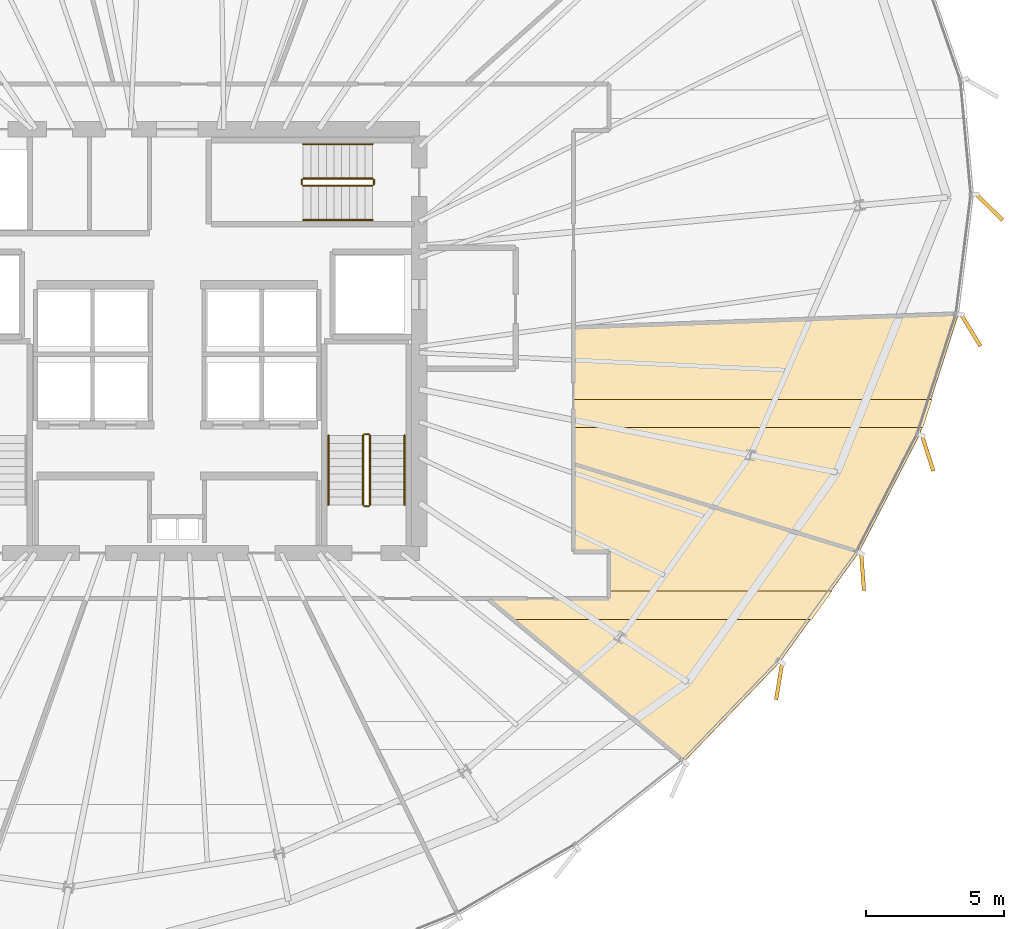
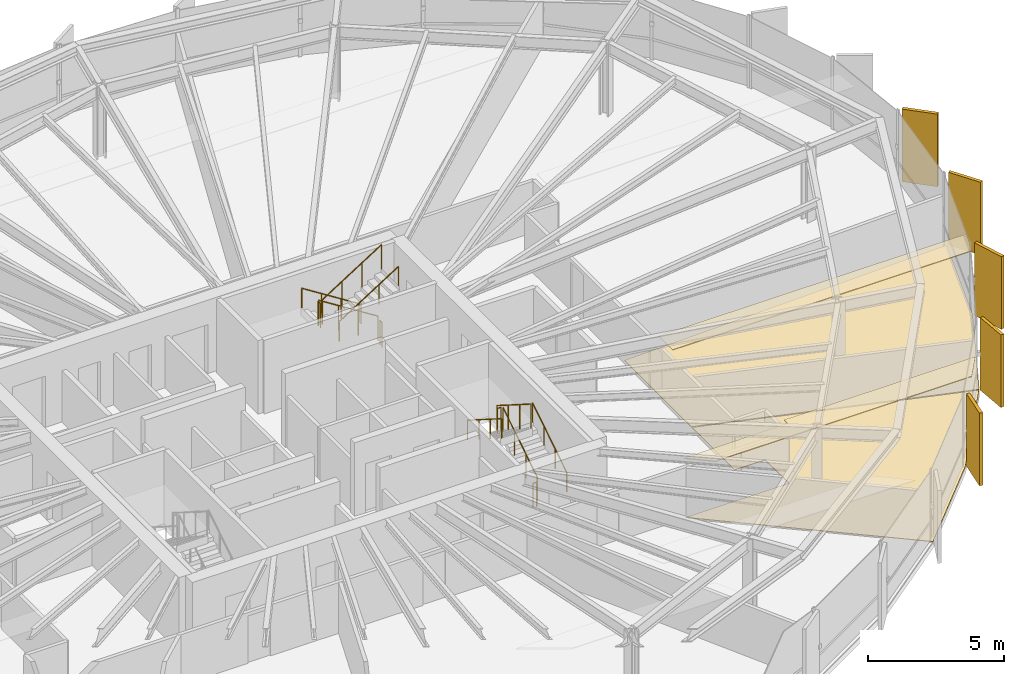
# One storey, part 34 of 35: 12 railings, 9 coverings.
"""IFC4 building model written with IfcOpenShell, lengths in metres."""

from ifc_helpers import new_model, si_unit, direction, frame, origin, origin_2d, place, context, subcontext, project, spatial, polyline, rectangle, circle, outline, extrude, source, transform, mapped, material, layer, layer_set, type_object, element, save


model = new_model("IFC4")

# Units and contexts
model_context = context("Model", 3, precision=1e-05, world=origin(), true_north=direction((0.0, 1.0)))
body_context = subcontext(model_context, "Body", "Model", "MODEL_VIEW")
ifc_project = project(units=[si_unit("LENGTHUNIT", "METRE"), si_unit("AREAUNIT", "SQUARE_METRE"), si_unit("VOLUMEUNIT", "CUBIC_METRE"), si_unit("PLANEANGLEUNIT", "RADIAN"), si_unit("MASSUNIT", "GRAM", prefix="KILO"), si_unit("THERMODYNAMICTEMPERATUREUNIT", "KELVIN")], contexts=[model_context])

# Site, building, storey
site_placement = place(None, origin())
site = spatial("IfcSite", under=ifc_project, at=site_placement, CompositionType="ELEMENT")
building_placement = place(site_placement, origin())
building = spatial("IfcBuilding", under=site, at=building_placement, Name="Kethvar Cultural Tower", CompositionType="ELEMENT")
storey_placement = place(building_placement, frame((0.0, 0.0, 139.449951171875)))
storey = spatial("IfcBuildingStorey", under=building, at=storey_placement, Name="L35", CompositionType="ELEMENT", Elevation=139.449951171875)

# Coverings
ifc_material_1 = material(Name="Acoustic Mineral Fibre Ceiling")
ifc_layer_1 = layer(ifc_material_1, 0.0400390625, Name="Acoustic Mineral Fibre Ceiling")
ifc_layer_set_1 = layer_set([ifc_layer_1], Name="Acoustic Mineral Fibre Ceiling (40 mm)")
covering_type_1 = type_object("IfcCoveringType", Name="CV-ACOUSTIC-CEIL", PredefinedType="CEILING", material=ifc_layer_set_1)
covering_1_placement = place(storey_placement, frame((0.0, 0.0, 2.670166015625)))
element("IfcCovering", 1, at=covering_1_placement, inside=storey, type_object=covering_type_1, Name="L35 Room 04 Acoustic Ceiling Panel", PredefinedType="CEILING", context=body_context, shape_type="SweptSolid", body=[
    extrude(outline(polyline([(58.065185546875, 18.4345703125), (62.47998046875, 18.469970703125), (62.47998046875, 18.71875), (70.601318359375, 18.71875), (69.857666015625, 17.688720703125), (58.965087890625, 17.688720703125), (58.065185546875, 18.4345703125)])), origin(), (0.0, 0.0, 1.0), 0.039794921875),
])
covering_2_placement = place(storey_placement, frame((0.0, 0.0, 2.670166015625)))
element("IfcCovering", 2, at=covering_2_placement, inside=storey, type_object=covering_type_1, Name="L35 Room 05 Acoustic Ceiling Panel", PredefinedType="CEILING", context=body_context, shape_type="SweptSolid", body=[
    extrude(outline(polyline([(61.179931640625, 25.687255859375), (74.23388671875, 25.687255859375), (73.9013671875, 24.6572265625), (61.179931640625, 24.6572265625), (61.179931640625, 25.687255859375)])), origin(), (0.0, 0.0, 1.0), 0.039794921875),
])
ifc_material_2 = material(Name="Architectural Oak Timber", Category="wood")
ifc_layer_2 = layer(ifc_material_2, 0.02490234375, Name="Architectural Oak Timber", Category="wood")
ifc_layer_set_2 = layer_set([ifc_layer_2], Name="Architectural Oak Timber (25 mm)")
covering_type_2 = type_object("IfcCoveringType", Name="CV-OAK-FLOOR", PredefinedType="FLOORING", material=ifc_layer_set_2)
covering_3_placement = place(storey_placement, origin())
element("IfcCovering", 3, at=covering_3_placement, inside=storey, type_object=covering_type_2, Name="L35 Room 04 Floor Finish", PredefinedType="FLOORING", context=body_context, shape_type="SweptSolid", body=[
    extrude(outline(polyline([(68.683837890625, 16.13134765625), (65.234619140625, 12.54296875), (58.133544921875, 18.429931640625), (62.5166015625, 18.43896484375), (62.515380859375, 20.16259765625), (61.219970703125, 20.169921875), (61.219970703125, 23.3125), (71.556884765625, 20.110595703125), (68.683837890625, 16.13134765625)])), origin(), (0.0, 0.0, 1.0), 0.025146484375),
])
covering_4_placement = place(storey_placement, origin())
element("IfcCovering", 4, at=covering_4_placement, inside=storey, type_object=covering_type_2, Name="L35 Room 05 Floor Finish", PredefinedType="FLOORING", context=body_context, shape_type="SweptSolid", body=[
    extrude(outline(polyline([(73.77587890625, 24.39892578125), (71.579345703125, 20.1455078125), (61.219970703125, 23.354248046875), (61.219970703125, 28.27734375), (75.18310546875, 28.759033203125), (73.77587890625, 24.39892578125)])), origin(), (0.0, 0.0, 1.0), 0.025146484375),
])

# Railings
ifc_material_3 = material(Name="Steel S355J2", Category="steel")
railing_type_1 = type_object("IfcRailingType", Name="RL-STAIR-GUARD", PredefinedType="BALUSTRADE", material=ifc_material_3)
railing_1_placement = place(storey_placement, frame((53.81005859375, 21.85009765625, 0.177490234375)))
element("IfcRailing", 5, at=railing_1_placement, inside=storey, type_object=railing_type_1, Name="L35 ST-02 stair guard 1", PredefinedType="BALUSTRADE", context=body_context, shape_type="SweptSolid", body=[
    extrude(circle(Radius=0.02392578125, at=origin_2d()), frame((0.0, 0.0, 1.09619140625), z_axis=(0.0, 0.84456994832, 0.535445237532), x_axis=(-1.0, 0.0, 0.0)), (0.0, 0.0, 1.0), 2.98388671875),
    extrude(circle(Radius=0.02099609375, at=origin_2d()), origin(), (0.0, 0.0, 1.0), 1.072021484375),
    extrude(circle(Radius=0.02099609375, at=origin_2d()), frame((0.0, 0.840087890625, 0.532470703125)), (0.0, 0.0, 1.0), 1.072021484375),
    extrude(circle(Radius=0.02099609375, at=origin_2d()), frame((0.0, 1.679931640625, 1.065185546875)), (0.0, 0.0, 1.0), 1.072021484375),
    extrude(circle(Radius=0.02099609375, at=origin_2d()), frame((0.0, 2.52001953125, 1.59765625)), (0.0, 0.0, 1.0), 1.072021484375),
])
railing_2_placement = place(storey_placement, frame((53.760009765625, 24.419921875, 1.775146484375)))
element("IfcRailing", 6, at=railing_2_placement, inside=storey, type_object=railing_type_1, Name="L35 ST-02 stair guard 2", PredefinedType="BALUSTRADE", context=body_context, shape_type="SweptSolid", body=[
    extrude(circle(Radius=0.02392578125, at=origin_2d()), frame((0.0, 0.0, 1.09619140625), z_axis=(-1.0, 0.0, 0.0), x_axis=(0.0, -1.0, 0.0)), (0.0, 0.0, 1.0), 0.159912109375),
    extrude(circle(Radius=0.02099609375, at=origin_2d()), origin(), (0.0, 0.0, 1.0), 1.072021484375),
    extrude(circle(Radius=0.02099609375, at=origin_2d()), frame((-0.159912109375, 0.0, 0.0)), (0.0, 0.0, 1.0), 1.072021484375),
])
railing_3_placement = place(storey_placement, frame((53.550048828125, 24.3701171875, 1.95263671875)))
element("IfcRailing", 7, at=railing_3_placement, inside=storey, type_object=railing_type_1, Name="L35 ST-02 stair guard 3", PredefinedType="BALUSTRADE", context=body_context, shape_type="SweptSolid", body=[
    extrude(circle(Radius=0.02392578125, at=origin_2d()), frame((0.0, 0.0, 1.09619140625), z_axis=(0.0, -0.84460694969, 0.535386869969), x_axis=(1.0, 0.0, 0.0)), (0.0, 0.0, 1.0), 2.983642578125),
    extrude(circle(Radius=0.02099609375, at=origin_2d()), origin(), (0.0, 0.0, 1.0), 1.072021484375),
    extrude(circle(Radius=0.02099609375, at=origin_2d()), frame((0.0, -0.840087890625, 0.532470703125)), (0.0, 0.0, 1.0), 1.072021484375),
    extrude(circle(Radius=0.02099609375, at=origin_2d()), frame((0.0, -1.679931640625, 1.06494140625)), (0.0, 0.0, 1.0), 1.072021484375),
    extrude(circle(Radius=0.02099609375, at=origin_2d()), frame((0.0, -2.52001953125, 1.597412109375)), (0.0, 0.0, 1.0), 1.072021484375),
])
railing_4_placement = place(storey_placement, frame((53.760009765625, 21.800048828125, 0.0)))
element("IfcRailing", 8, at=railing_4_placement, inside=storey, type_object=railing_type_1, Name="L35 ST-02 stair guard 4", PredefinedType="BALUSTRADE", context=body_context, shape_type="SweptSolid", body=[
    extrude(circle(Radius=0.02392578125, at=origin_2d()), frame((0.0, 0.0, 1.09619140625), z_axis=(-1.0, 0.0, 0.0), x_axis=(0.0, -1.0, 0.0)), (0.0, 0.0, 1.0), 0.159912109375),
    extrude(circle(Radius=0.02099609375, at=origin_2d()), origin(), (0.0, 0.0, 1.0), 1.072021484375),
    extrude(circle(Radius=0.02099609375, at=origin_2d()), frame((-0.159912109375, 0.0, 0.0)), (0.0, 0.0, 1.0), 1.072021484375),
])
railing_5_placement = place(storey_placement, frame((53.89990234375, 33.7099609375, 0.177490234375)))
element("IfcRailing", 9, at=railing_5_placement, inside=storey, type_object=railing_type_1, Name="L35 ST-03 stair guard 1", PredefinedType="BALUSTRADE", context=body_context, shape_type="SweptSolid", body=[
    extrude(circle(Radius=0.02392578125, at=origin_2d()), frame((0.0, 0.0, 1.09619140625), z_axis=(-0.84456994832, 0.0, 0.535445237532), x_axis=(0.0, -1.0, 0.0)), (0.0, 0.0, 1.0), 2.98388671875),
    extrude(circle(Radius=0.02099609375, at=origin_2d()), origin(), (0.0, 0.0, 1.0), 1.072021484375),
    extrude(circle(Radius=0.02099609375, at=origin_2d()), frame((-0.840087890625, 0.0, 0.532470703125)), (0.0, 0.0, 1.0), 1.072021484375),
    extrude(circle(Radius=0.02099609375, at=origin_2d()), frame((-1.679931640625, 0.0, 1.065185546875)), (0.0, 0.0, 1.0), 1.072021484375),
    extrude(circle(Radius=0.02099609375, at=origin_2d()), frame((-2.52001953125, 0.0, 1.59765625)), (0.0, 0.0, 1.0), 1.072021484375),
])
railing_6_placement = place(storey_placement, frame((51.330078125, 33.659912109375, 1.775146484375)))
element("IfcRailing", 10, at=railing_6_placement, inside=storey, type_object=railing_type_1, Name="L35 ST-03 stair guard 2", PredefinedType="BALUSTRADE", context=body_context, shape_type="SweptSolid", body=[
    extrude(circle(Radius=0.02392578125, at=origin_2d()), frame((0.0, 0.0, 1.09619140625), z_axis=(0.0, -1.0, 0.0), x_axis=(1.0, 0.0, 0.0)), (0.0, 0.0, 1.0), 0.159912109375),
    extrude(circle(Radius=0.02099609375, at=origin_2d()), origin(), (0.0, 0.0, 1.0), 1.072021484375),
    extrude(circle(Radius=0.02099609375, at=origin_2d()), frame((0.0, -0.159912109375, 0.0)), (0.0, 0.0, 1.0), 1.072021484375),
])
railing_7_placement = place(storey_placement, frame((51.3798828125, 33.449951171875, 1.95263671875)))
element("IfcRailing", 11, at=railing_7_placement, inside=storey, type_object=railing_type_1, Name="L35 ST-03 stair guard 3", PredefinedType="BALUSTRADE", context=body_context, shape_type="SweptSolid", body=[
    extrude(circle(Radius=0.02392578125, at=origin_2d()), frame((0.0, 0.0, 1.09619140625), z_axis=(0.84460694969, 0.0, 0.535386869969), x_axis=(0.0, 1.0, 0.0)), (0.0, 0.0, 1.0), 2.983642578125),
    extrude(circle(Radius=0.02099609375, at=origin_2d()), origin(), (0.0, 0.0, 1.0), 1.072021484375),
    extrude(circle(Radius=0.02099609375, at=origin_2d()), frame((0.840087890625, 0.0, 0.532470703125)), (0.0, 0.0, 1.0), 1.072021484375),
    extrude(circle(Radius=0.02099609375, at=origin_2d()), frame((1.679931640625, 0.0, 1.06494140625)), (0.0, 0.0, 1.0), 1.072021484375),
    extrude(circle(Radius=0.02099609375, at=origin_2d()), frame((2.52001953125, 0.0, 1.597412109375)), (0.0, 0.0, 1.0), 1.072021484375),
])
railing_8_placement = place(storey_placement, frame((53.949951171875, 33.659912109375, 0.0)))
element("IfcRailing", 12, at=railing_8_placement, inside=storey, type_object=railing_type_1, Name="L35 ST-03 stair guard 4", PredefinedType="BALUSTRADE", context=body_context, shape_type="SweptSolid", body=[
    extrude(circle(Radius=0.02392578125, at=origin_2d()), frame((0.0, 0.0, 1.09619140625), z_axis=(0.0, -1.0, 0.0), x_axis=(1.0, 0.0, 0.0)), (0.0, 0.0, 1.0), 0.159912109375),
    extrude(circle(Radius=0.02099609375, at=origin_2d()), origin(), (0.0, 0.0, 1.0), 1.072021484375),
    extrude(circle(Radius=0.02099609375, at=origin_2d()), frame((0.0, -0.159912109375, 0.0)), (0.0, 0.0, 1.0), 1.072021484375),
])
railing_type_2 = type_object("IfcRailingType", Name="RL-STAIR-HANDRAIL", PredefinedType="HANDRAIL", material=ifc_material_3)
railing_9_placement = place(storey_placement, frame((55.06005859375, 21.85009765625, 0.177490234375)))
element("IfcRailing", 13, at=railing_9_placement, inside=storey, type_object=railing_type_2, Name="L35 ST-02 stair handrail 1", PredefinedType="HANDRAIL", context=body_context, shape_type="SweptSolid", body=[
    extrude(circle(Radius=0.02392578125, at=origin_2d()), frame((0.0, 0.0, 0.8759765625), z_axis=(0.0, 0.84456994832, 0.535445237532), x_axis=(-1.0, 0.0, 0.0)), (0.0, 0.0, 1.0), 2.98388671875),
    extrude(circle(Radius=0.02099609375, at=origin_2d()), origin(), (0.0, 0.0, 1.0), 0.851806640625),
    extrude(circle(Radius=0.02099609375, at=origin_2d()), frame((0.0, 0.840087890625, 0.532470703125)), (0.0, 0.0, 1.0), 0.851806640625),
    extrude(circle(Radius=0.02099609375, at=origin_2d()), frame((0.0, 1.679931640625, 1.065185546875)), (0.0, 0.0, 1.0), 0.851806640625),
    extrude(circle(Radius=0.02099609375, at=origin_2d()), frame((0.0, 2.52001953125, 1.59765625)), (0.0, 0.0, 1.0), 0.851806640625),
])
railing_10_placement = place(storey_placement, frame((52.300048828125, 24.3701171875, 1.95263671875)))
element("IfcRailing", 14, at=railing_10_placement, inside=storey, type_object=railing_type_2, Name="L35 ST-02 stair handrail 2", PredefinedType="HANDRAIL", context=body_context, shape_type="SweptSolid", body=[
    extrude(circle(Radius=0.02392578125, at=origin_2d()), frame((0.0, 0.0, 0.8759765625), z_axis=(0.0, -0.84460694969, 0.535386869969), x_axis=(1.0, 0.0, 0.0)), (0.0, 0.0, 1.0), 2.983642578125),
    extrude(circle(Radius=0.02099609375, at=origin_2d()), origin(), (0.0, 0.0, 1.0), 0.851806640625),
    extrude(circle(Radius=0.02099609375, at=origin_2d()), frame((0.0, -0.840087890625, 0.532470703125)), (0.0, 0.0, 1.0), 0.851806640625),
    extrude(circle(Radius=0.02099609375, at=origin_2d()), frame((0.0, -1.679931640625, 1.06494140625)), (0.0, 0.0, 1.0), 0.851806640625),
    extrude(circle(Radius=0.02099609375, at=origin_2d()), frame((0.0, -2.52001953125, 1.597412109375)), (0.0, 0.0, 1.0), 0.851806640625),
])
railing_11_placement = place(storey_placement, frame((53.89990234375, 34.9599609375, 0.177490234375)))
element("IfcRailing", 15, at=railing_11_placement, inside=storey, type_object=railing_type_2, Name="L35 ST-03 stair handrail 1", PredefinedType="HANDRAIL", context=body_context, shape_type="SweptSolid", body=[
    extrude(circle(Radius=0.02392578125, at=origin_2d()), frame((0.0, 0.0, 0.8759765625), z_axis=(-0.84456994832, 0.0, 0.535445237532), x_axis=(0.0, -1.0, 0.0)), (0.0, 0.0, 1.0), 2.98388671875),
    extrude(circle(Radius=0.02099609375, at=origin_2d()), origin(), (0.0, 0.0, 1.0), 0.851806640625),
    extrude(circle(Radius=0.02099609375, at=origin_2d()), frame((-0.840087890625, 0.0, 0.532470703125)), (0.0, 0.0, 1.0), 0.851806640625),
    extrude(circle(Radius=0.02099609375, at=origin_2d()), frame((-1.679931640625, 0.0, 1.065185546875)), (0.0, 0.0, 1.0), 0.851806640625),
    extrude(circle(Radius=0.02099609375, at=origin_2d()), frame((-2.52001953125, 0.0, 1.59765625)), (0.0, 0.0, 1.0), 0.851806640625),
])
railing_12_placement = place(storey_placement, frame((51.3798828125, 32.199951171875, 1.95263671875)))
element("IfcRailing", 16, at=railing_12_placement, inside=storey, type_object=railing_type_2, Name="L35 ST-03 stair handrail 2", PredefinedType="HANDRAIL", context=body_context, shape_type="SweptSolid", body=[
    extrude(circle(Radius=0.02392578125, at=origin_2d()), frame((0.0, 0.0, 0.8759765625), z_axis=(0.84460694969, 0.0, 0.535386869969), x_axis=(0.0, 1.0, 0.0)), (0.0, 0.0, 1.0), 2.983642578125),
    extrude(circle(Radius=0.02099609375, at=origin_2d()), origin(), (0.0, 0.0, 1.0), 0.851806640625),
    extrude(circle(Radius=0.02099609375, at=origin_2d()), frame((0.840087890625, 0.0, 0.532470703125)), (0.0, 0.0, 1.0), 0.851806640625),
    extrude(circle(Radius=0.02099609375, at=origin_2d()), frame((1.679931640625, 0.0, 1.06494140625)), (0.0, 0.0, 1.0), 0.851806640625),
    extrude(circle(Radius=0.02099609375, at=origin_2d()), frame((2.52001953125, 0.0, 1.597412109375)), (0.0, 0.0, 1.0), 0.851806640625),
])

# Coverings
ifc_material_4 = material(Name="Extruded Architectural Terracotta", Category="masonry")
ifc_layer_3 = layer(ifc_material_4, 0.135009765625, Name="Extruded Architectural Terracotta", Category="masonry")
ifc_layer_set_3 = layer_set([ifc_layer_3], Name="Extruded Architectural Terracotta (135 mm)")
covering_type_3 = type_object("IfcCoveringType", Name="Terracotta Facade Fin FIN-02", PredefinedType="CLADDING", material=ifc_layer_set_3)
shared_shape = source(origin(), body_context, "Body", "SweptSolid", [
    extrude(rectangle(XDim=1.35009765625, YDim=0.135009765625, at=origin_2d()), origin(), (0.0, 0.0, 1.0), 3.260009765625),
])
for number, where, z_axis, x_axis, name in (
    (17, (68.67626953125, 15.4375, 0.02001953125), (0.0, 0.0, 1.0), (-0.163842507806, -0.9864865091, 0.0), "L35 Vertical Terracotta Fin 6.1"),
    (18, (71.710693359375, 19.41162109375, 0.02001953125), (0.0, 0.0, 1.0), (0.074282542058, -0.997237235539, 0.0), "L35 Vertical Terracotta Fin 6.2"),
    (19, (74.076416015625, 23.723876953125, 0.02001953125), (0.0, 0.0, 1.0), (0.305030518809, -0.95234257628, 0.0), "L35 Vertical Terracotta Fin 6.3"),
    (20, (75.642578125, 28.1943359375, 0.02001953125), (0.0, 0.0, 1.0), (0.521903182306, -0.853004729353, 0.0), "L35 Vertical Terracotta Fin 6.4"),
    (21, (76.318115234375, 32.6708984375, 0.02001953125), (0.0, 0.0, 1.0), (0.716301943425, -0.697790459842, 0.0), "L35 Vertical Terracotta Fin 6.5"),
):
    element("IfcCovering", number, at=place(storey_placement, frame(where, z_axis=z_axis, x_axis=x_axis)), inside=storey, type_object=covering_type_3, Name=name, PredefinedType="CLADDING", context=body_context, shape_type="MappedRepresentation", body=[
        mapped(shared_shape, transform((0.0, 0.0, 0.0), scale=1.0)),
    ])

save(model, "model.ifc")
